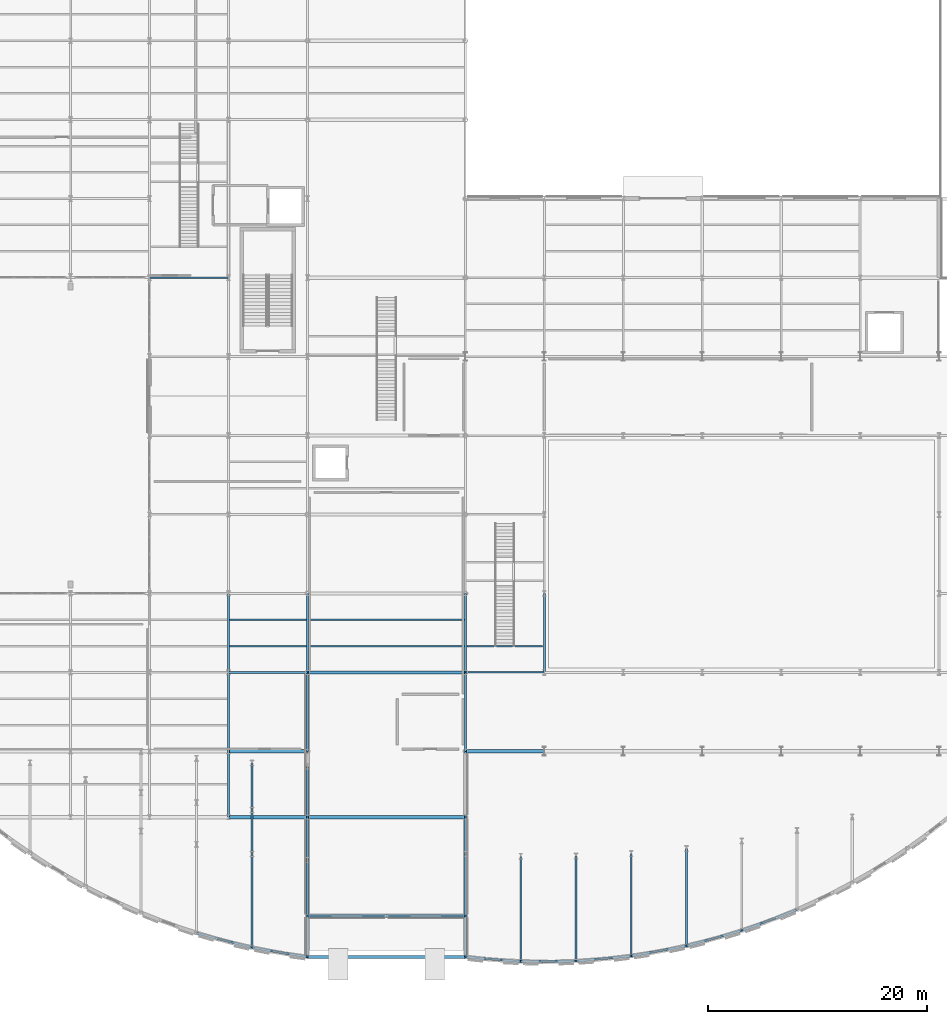
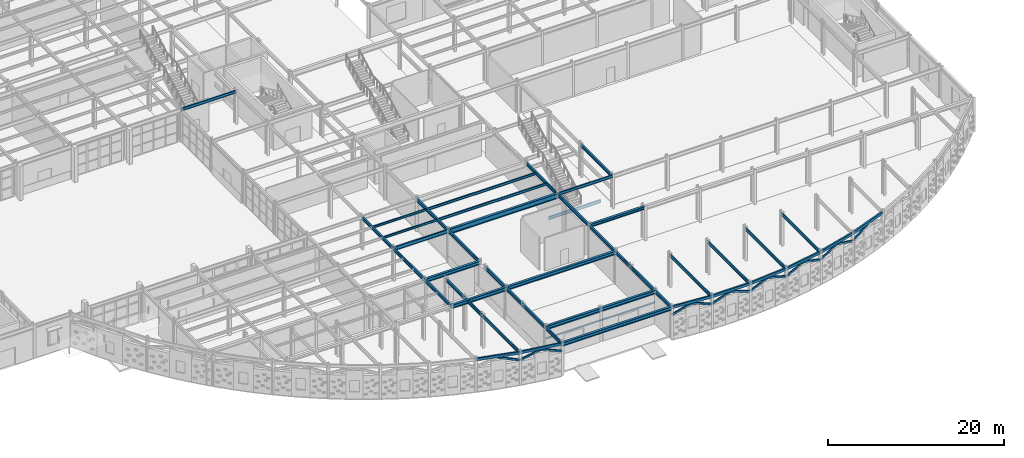
# One storey, part 33 of 83: 49 beams, 14 members.
"""IFC4 building model written with IfcOpenShell, lengths in metres."""

from ifc_helpers import new_model, si_unit, direction, frame, origin, origin_2d, place, context, subcontext, project, spatial, hollow_rectangle, i_section, extrude, material, material_profile, profile_set, type_object, element, save


model = new_model("IFC4")

# Units and contexts
model_context = context("Model", 3, precision=1e-05, world=origin(), true_north=direction((0.0, 1.0)))
body_context = subcontext(model_context, "Body", "Model", "MODEL_VIEW")
ifc_project = project(units=[si_unit("LENGTHUNIT", "METRE"), si_unit("AREAUNIT", "SQUARE_METRE"), si_unit("VOLUMEUNIT", "CUBIC_METRE"), si_unit("PLANEANGLEUNIT", "RADIAN"), si_unit("MASSUNIT", "GRAM", prefix="KILO")], contexts=[model_context])

# Site, building, storey
site_placement = place(None, origin())
site = spatial("IfcSite", under=ifc_project, at=site_placement, CompositionType="ELEMENT")
building_placement = place(site_placement, origin())
building = spatial("IfcBuilding", under=site, at=building_placement, Name="Solvadek Multi-Sports Hall", CompositionType="ELEMENT")
storey_placement = place(building_placement, origin())
storey = spatial("IfcBuildingStorey", under=building, at=storey_placement, Name="L00", CompositionType="ELEMENT", Elevation=0.0)

# Members
ifc_material_1 = material(Name="Steel E350 (350 MPa)", Category="steel")
ifc_material_profile_1 = material_profile(ifc_material_1, hollow_rectangle(XDim=0.14990234375, YDim=0.25, WallThickness=0.010009765625, at=origin_2d()), Name="RHS 250x150x10")
ifc_profile_set_1 = profile_set([ifc_material_profile_1], Name="Steel E350 (350 MPa)")
member_type = type_object("IfcMemberType", Name="STR-ARC-RHS250", PredefinedType="USERDEFINED", material=ifc_profile_set_1)
member_1_placement = place(storey_placement, frame((64.4091796875, -11.228271484375, 4.219970703125), z_axis=(0.917712573696, -0.241382137775, -0.315496902748), x_axis=(0.254373874801, 0.967105956873, 0.0)))
element("IfcMember", 1, at=member_1_placement, inside=storey, type_object=member_type, Name="Crescent Pointed Revak Arch W-8R", ObjectType="ARCH_SEGMENT", PredefinedType="USERDEFINED", context=body_context, shape_type="SweptSolid", body=[
    extrude(hollow_rectangle(XDim=0.14990234375, YDim=0.25, WallThickness=0.010009765625, at=origin_2d()), origin(), (0.0, 0.0, 1.0), 2.757080078125),
])
for number, where, z_axis, x_axis, name in (
    (2, (66.939453125, -11.893798828125, 3.35009765625), (0.933712393137, -0.158561734072, 0.320997419601), (0.167421677749, 0.985885379656, 0.0), "Crescent Pointed Revak Arch W-9L"),
    (3, (69.4697265625, -12.323486328125, 4.219970703125), (0.933725727833, -0.15847390537, -0.321002003886), (0.16732921597, 0.985901076926, 0.0), "Crescent Pointed Revak Arch W-9R"),
):
    element("IfcMember", number, at=place(storey_placement, frame(where, z_axis=z_axis, x_axis=x_axis)), inside=storey, type_object=member_type, Name=name, ObjectType="ARCH_SEGMENT", PredefinedType="USERDEFINED", context=body_context, shape_type="SweptSolid", body=[
        extrude(hollow_rectangle(XDim=0.14990234375, YDim=0.25, WallThickness=0.010009765625, at=origin_2d()), origin(), (0.0, 0.0, 1.0), 2.7099609375),
    ])
for number, where, z_axis, x_axis, name in (
    (4, (86.39990234375, -12.7529296875, 3.35009765625), (0.94253033205, -0.076063530963, 0.325347371933), (0.08043989836, 0.996759460829, 0.0), "Crescent Pointed Revak Arch E-1L"),
    (5, (88.919921875, -12.956298828125, 4.219970703125), (0.942523781777, -0.076154314474, -0.325345110877), (0.080535838905, 0.996751713644, 0.0), "Crescent Pointed Revak Arch E-1R"),
):
    element("IfcMember", number, at=place(storey_placement, frame(where, z_axis=z_axis, x_axis=x_axis)), inside=storey, type_object=member_type, Name=name, ObjectType="ARCH_SEGMENT", PredefinedType="USERDEFINED", context=body_context, shape_type="SweptSolid", body=[
        extrude(hollow_rectangle(XDim=0.14990234375, YDim=0.25, WallThickness=0.010009765625, at=origin_2d()), origin(), (0.0, 0.0, 1.0), 2.673583984375),
    ])
for number, where, z_axis, x_axis, name in (
    (6, (91.43994140625, -13.159912109375, 3.35009765625), (0.945252565878, 0.005860895584, 0.326287046331), (-0.006200229589, 0.999980778392, 0.0), "Crescent Pointed Revak Arch E-2L"),
    (7, (93.9599609375, -13.144287109375, 4.219970703125), (0.945252565878, 0.005860895584, -0.326287046331), (-0.006200229589, 0.999980778392, 0.0), "Crescent Pointed Revak Arch E-2R"),
):
    element("IfcMember", number, at=place(storey_placement, frame(where, z_axis=z_axis, x_axis=x_axis)), inside=storey, type_object=member_type, Name=name, ObjectType="ARCH_SEGMENT", PredefinedType="USERDEFINED", context=body_context, shape_type="SweptSolid", body=[
        extrude(hollow_rectangle(XDim=0.14990234375, YDim=0.25, WallThickness=0.010009765625, at=origin_2d()), origin(), (0.0, 0.0, 1.0), 2.666015625),
    ])
for number, where, z_axis, x_axis, name in (
    (8, (96.47998046875, -13.128662109375, 3.35009765625), (0.941621770931, 0.087758200314, 0.325033750226), (-0.092796844706, 0.995685063468, 0.0), "Crescent Pointed Revak Arch E-3L"),
    (9, (99.0, -12.893798828125, 4.219970703125), (0.941614228745, 0.087848721399, -0.325031146776), (-0.092892475176, 0.995676146172, 0.0), "Crescent Pointed Revak Arch E-3R"),
):
    element("IfcMember", number, at=place(storey_placement, frame(where, z_axis=z_axis, x_axis=x_axis)), inside=storey, type_object=member_type, Name=name, ObjectType="ARCH_SEGMENT", PredefinedType="USERDEFINED", context=body_context, shape_type="SweptSolid", body=[
        extrude(hollow_rectangle(XDim=0.14990234375, YDim=0.25, WallThickness=0.010009765625, at=origin_2d()), origin(), (0.0, 0.0, 1.0), 2.67626953125),
    ])
for number, where, z_axis, x_axis, name in (
    (10, (101.52001953125, -12.65869140625, 3.35009765625), (0.931506091358, 0.170021069184, 0.321541968951), (-0.179556350269, 0.983747689745, 0.0), "Crescent Pointed Revak Arch E-4L"),
    (11, (104.0400390625, -12.19873046875, 4.219970703125), (0.931506091358, 0.170021069184, -0.321541968951), (-0.179556350269, 0.983747689745, 0.0), "Crescent Pointed Revak Arch E-4R"),
):
    element("IfcMember", number, at=place(storey_placement, frame(where, z_axis=z_axis, x_axis=x_axis)), inside=storey, type_object=member_type, Name=name, ObjectType="ARCH_SEGMENT", PredefinedType="USERDEFINED", context=body_context, shape_type="SweptSolid", body=[
        extrude(hollow_rectangle(XDim=0.14990234375, YDim=0.25, WallThickness=0.010009765625, at=origin_2d()), origin(), (0.0, 0.0, 1.0), 2.705322265625),
    ])
for number, where, z_axis, x_axis, name in (
    (12, (106.56005859375, -11.73876953125, 3.35009765625), (0.91458888914, 0.252703692291, 0.315702403798), (-0.26632396396, 0.963883575034, 0.0), "Crescent Pointed Revak Arch E-5L"),
    (13, (109.080078125, -11.04248046875, 4.219970703125), (0.914609364805, 0.252620742013, -0.315709471692), (-0.266237202654, 0.963907543244, 0.0), "Crescent Pointed Revak Arch E-5R"),
):
    element("IfcMember", number, at=place(storey_placement, frame(where, z_axis=z_axis, x_axis=x_axis)), inside=storey, type_object=member_type, Name=name, ObjectType="ARCH_SEGMENT", PredefinedType="USERDEFINED", context=body_context, shape_type="SweptSolid", body=[
        extrude(hollow_rectangle(XDim=0.14990234375, YDim=0.25, WallThickness=0.010009765625, at=origin_2d()), origin(), (0.0, 0.0, 1.0), 2.75537109375),
    ])
member_2_placement = place(storey_placement, frame((111.60009765625, -10.346435546875, 3.35009765625), z_axis=(0.890376624768, 0.335810521238, 0.307344692312), x_axis=(-0.352891064326, 0.935664414584, 0.0)))
element("IfcMember", 14, at=member_2_placement, inside=storey, type_object=member_type, Name="Crescent Pointed Revak Arch E-6L", ObjectType="ARCH_SEGMENT", PredefinedType="USERDEFINED", context=body_context, shape_type="SweptSolid", body=[
    extrude(hollow_rectangle(XDim=0.14990234375, YDim=0.25, WallThickness=0.010009765625, at=origin_2d()), origin(), (0.0, 0.0, 1.0), 2.830322265625),
])

# Beams
ifc_material_profile_2 = material_profile(ifc_material_1, i_section(OverallWidth=0.139892578125, OverallDepth=0.39990234375, WebThickness=0.0087890625, FlangeThickness=0.01611328125, at=origin_2d()), Name="ISMB 400")
ifc_profile_set_2 = profile_set([ifc_material_profile_2], Name="Steel E350 (350 MPa)")
beam_type_1 = type_object("IfcBeamType", Name="STR-BM-ISMB400", PredefinedType="BEAM", material=ifc_profile_set_2)
beam_1_placement = place(storey_placement, frame((86.39990234375, 13.199951171875, 4.3798828125), z_axis=(1.0, 0.0, 0.0), x_axis=(0.0, 1.0, 0.0)))
element("IfcBeam", 15, at=beam_1_placement, inside=storey, type_object=beam_type_1, Name="L00 Girder B-10 #549", PredefinedType="BEAM", context=body_context, shape_type="SweptSolid", body=[
    extrude(i_section(OverallWidth=0.139892578125, OverallDepth=0.39990234375, WebThickness=0.0087890625, FlangeThickness=0.01611328125, at=origin_2d()), origin(), (0.0, 0.0, 1.0), 7.2001953125),
])
beam_2_placement = place(storey_placement, frame((57.60009765625, 49.199951171875, 4.3798828125), z_axis=(1.0, 0.0, 0.0), x_axis=(0.0, 1.0, 0.0)))
element("IfcBeam", 16, at=beam_2_placement, inside=storey, type_object=beam_type_1, Name="L00 Girder B-10 #611", PredefinedType="BEAM", context=body_context, shape_type="SweptSolid", body=[
    extrude(i_section(OverallWidth=0.139892578125, OverallDepth=0.39990234375, WebThickness=0.0087890625, FlangeThickness=0.01611328125, at=origin_2d()), origin(), (0.0, 0.0, 1.0), 7.199951171875),
])
ifc_material_profile_3 = material_profile(ifc_material_1, i_section(OverallWidth=0.14990234375, OverallDepth=0.449951171875, WebThickness=0.009521484375, FlangeThickness=0.017333984375, at=origin_2d()), Name="ISMB 450")
ifc_profile_set_3 = profile_set([ifc_material_profile_3], Name="Steel E350 (350 MPa)")
beam_type_2 = type_object("IfcBeamType", Name="STR-BM-ISMB450", PredefinedType="BEAM", material=ifc_profile_set_3)
beam_3_placement = place(storey_placement, frame((66.939453125, -11.893798828125, 4.35498046875), z_axis=(0.0, 1.0, 0.0), x_axis=(-1.0, 0.0, 0.0)))
element("IfcBeam", 17, at=beam_3_placement, inside=storey, type_object=beam_type_2, Name="L00 Girder B-09 #853", PredefinedType="BEAM", context=body_context, shape_type="SweptSolid", body=[
    extrude(i_section(OverallWidth=0.14990234375, OverallDepth=0.449951171875, WebThickness=0.009521484375, FlangeThickness=0.017333984375, at=origin_2d()), origin(), (0.0, 0.0, 1.0), 8.53173828125),
])
beam_4_placement = place(storey_placement, frame((91.43994140625, -13.159912109375, 4.35498046875), z_axis=(0.0, 1.0, 0.0), x_axis=(-1.0, 0.0, 0.0)))
element("IfcBeam", 18, at=beam_4_placement, inside=storey, type_object=beam_type_2, Name="L00 Girder B-09 #892", PredefinedType="BEAM", context=body_context, shape_type="SweptSolid", body=[
    extrude(i_section(OverallWidth=0.14990234375, OverallDepth=0.449951171875, WebThickness=0.009521484375, FlangeThickness=0.017333984375, at=origin_2d()), origin(), (0.0, 0.0, 1.0), 9.579833984375),
])
beam_5_placement = place(storey_placement, frame((96.47998046875, -13.128662109375, 4.35498046875), z_axis=(0.0, 1.0, 0.0), x_axis=(-1.0, 0.0, 0.0)))
element("IfcBeam", 19, at=beam_5_placement, inside=storey, type_object=beam_type_2, Name="L00 Girder B-09 #900", PredefinedType="BEAM", context=body_context, shape_type="SweptSolid", body=[
    extrude(i_section(OverallWidth=0.14990234375, OverallDepth=0.449951171875, WebThickness=0.009521484375, FlangeThickness=0.017333984375, at=origin_2d()), origin(), (0.0, 0.0, 1.0), 9.564208984375),
])
beam_6_placement = place(storey_placement, frame((101.52001953125, -12.65869140625, 4.35498046875), z_axis=(0.0, 1.0, 0.0), x_axis=(-1.0, 0.0, 0.0)))
element("IfcBeam", 20, at=beam_6_placement, inside=storey, type_object=beam_type_2, Name="L00 Girder B-09 #905", PredefinedType="BEAM", context=body_context, shape_type="SweptSolid", body=[
    extrude(i_section(OverallWidth=0.14990234375, OverallDepth=0.449951171875, WebThickness=0.009521484375, FlangeThickness=0.017333984375, at=origin_2d()), origin(), (0.0, 0.0, 1.0), 9.329345703125),
])
beam_7_placement = place(storey_placement, frame((106.56005859375, -11.73876953125, 4.35498046875), z_axis=(0.0, 1.0, 0.0), x_axis=(-1.0, 0.0, 0.0)))
element("IfcBeam", 21, at=beam_7_placement, inside=storey, type_object=beam_type_2, Name="L00 Girder B-09 #906", PredefinedType="BEAM", context=body_context, shape_type="SweptSolid", body=[
    extrude(i_section(OverallWidth=0.14990234375, OverallDepth=0.449951171875, WebThickness=0.009521484375, FlangeThickness=0.017333984375, at=origin_2d()), origin(), (0.0, 0.0, 1.0), 8.869384765625),
])
ifc_material_profile_4 = material_profile(ifc_material_1, i_section(OverallWidth=0.179931640625, OverallDepth=0.5, WebThickness=0.01025390625, FlangeThickness=0.01708984375, at=origin_2d()), Name="ISMB 500")
ifc_profile_set_4 = profile_set([ifc_material_profile_4], Name="Steel E350 (350 MPa)")
beam_type_3 = type_object("IfcBeamType", Name="STR-BM-ISMB500", PredefinedType="BEAM", material=ifc_profile_set_4)
beam_8_placement = place(storey_placement, frame((64.800048828125, 13.199951171875, 4.330078125), z_axis=(1.0, 0.0, 0.0), x_axis=(0.0, 1.0, 0.0)))
element("IfcBeam", 22, at=beam_8_placement, inside=storey, type_object=beam_type_3, Name="L00 Girder B-07 #547", PredefinedType="BEAM", context=body_context, shape_type="SweptSolid", body=[
    extrude(i_section(OverallWidth=0.179931640625, OverallDepth=0.5, WebThickness=0.01025390625, FlangeThickness=0.01708984375, at=origin_2d()), origin(), (0.0, 0.0, 1.0), 7.199951171875),
])
ifc_material_profile_5 = material_profile(ifc_material_1, i_section(OverallWidth=0.14990234375, OverallDepth=0.449951171875, WebThickness=0.009521484375, FlangeThickness=0.017333984375, at=origin_2d()), Name="ISMB 450")
ifc_profile_set_5 = profile_set([ifc_material_profile_5], Name="Steel E350 (350 MPa)")
beam_type_4 = type_object("IfcBeamType", Name="STR-BM-LND450", PredefinedType="BEAM", material=ifc_profile_set_5)
beam_9_placement = place(storey_placement, frame((86.56005859375, 15.60009765625, -0.47998046875), z_axis=(1.0, 0.0, 0.0), x_axis=(0.0, 1.0, 0.0)))
element("IfcBeam", 23, at=beam_9_placement, inside=storey, type_object=beam_type_4, Name="Stair ST-09 Foot Trimmer Girder", PredefinedType="BEAM", context=body_context, shape_type="SweptSolid", body=[
    extrude(i_section(OverallWidth=0.14990234375, OverallDepth=0.449951171875, WebThickness=0.009521484375, FlangeThickness=0.017333984375, at=origin_2d()), origin(), (0.0, 0.0, 1.0), 6.8798828125),
])
ifc_material_profile_6 = material_profile(ifc_material_1, i_section(OverallWidth=0.18994140625, OverallDepth=0.449951171875, WebThickness=0.009521484375, FlangeThickness=0.0146484375, at=origin_2d()), Name="NPB 450")
ifc_profile_set_6 = profile_set([ifc_material_profile_6], Name="Steel E350 (350 MPa)")
beam_type_5 = type_object("IfcBeamType", Name="STR-BM-NPB450", PredefinedType="BEAM", material=ifc_profile_set_6)
beam_10_placement = place(storey_placement, frame((64.800048828125, 0.0, 4.35498046875), z_axis=(0.0, 1.0, 0.0), x_axis=(-1.0, 0.0, 0.0)))
element("IfcBeam", 24, at=beam_10_placement, inside=storey, type_object=beam_type_5, Name="L00 Girder B-08 #839", PredefinedType="BEAM", context=body_context, shape_type="SweptSolid", body=[
    extrude(i_section(OverallWidth=0.18994140625, OverallDepth=0.449951171875, WebThickness=0.009521484375, FlangeThickness=0.0146484375, at=origin_2d()), origin(), (0.0, 0.0, 1.0), 6.0),
])
for number, where, z_axis, x_axis, name in (
    (25, (64.800048828125, 6.0, 4.35498046875), (0.0, 1.0, 0.0), (-1.0, 0.0, 0.0), "L00 Girder B-08 #840"),
    (26, (64.800048828125, 13.199951171875, 4.35498046875), (0.0, 1.0, 0.0), (-1.0, 0.0, 0.0), "L00 Girder B-08 #841"),
):
    element("IfcBeam", number, at=place(storey_placement, frame(where, z_axis=z_axis, x_axis=x_axis)), inside=storey, type_object=beam_type_5, Name=name, PredefinedType="BEAM", context=body_context, shape_type="SweptSolid", body=[
        extrude(i_section(OverallWidth=0.18994140625, OverallDepth=0.449951171875, WebThickness=0.009521484375, FlangeThickness=0.0146484375, at=origin_2d()), origin(), (0.0, 0.0, 1.0), 7.199951171875),
    ])
beam_11_placement = place(storey_placement, frame((66.939453125, -3.362060546875, 4.35498046875), z_axis=(0.0, 1.0, 0.0), x_axis=(-1.0, 0.0, 0.0)))
element("IfcBeam", 27, at=beam_11_placement, inside=storey, type_object=beam_type_5, Name="L00 Girder B-08 #854", PredefinedType="BEAM", context=body_context, shape_type="SweptSolid", body=[
    extrude(i_section(OverallWidth=0.18994140625, OverallDepth=0.449951171875, WebThickness=0.009521484375, FlangeThickness=0.0146484375, at=origin_2d()), origin(), (0.0, 0.0, 1.0), 4.01513671875),
])
beam_12_placement = place(storey_placement, frame((66.939453125, 0.653076171875, 4.35498046875), z_axis=(0.0, 1.0, 0.0), x_axis=(-1.0, 0.0, 0.0)))
element("IfcBeam", 28, at=beam_12_placement, inside=storey, type_object=beam_type_5, Name="L00 Girder B-08 #855", PredefinedType="BEAM", context=body_context, shape_type="SweptSolid", body=[
    extrude(i_section(OverallWidth=0.18994140625, OverallDepth=0.449951171875, WebThickness=0.009521484375, FlangeThickness=0.0146484375, at=origin_2d()), origin(), (0.0, 0.0, 1.0), 4.265869140625),
])
beam_13_placement = place(storey_placement, frame((72.0, -12.7529296875, 4.35498046875), z_axis=(0.0, 1.0, 0.0), x_axis=(-1.0, 0.0, 0.0)))
element("IfcBeam", 29, at=beam_13_placement, inside=storey, type_object=beam_type_5, Name="L00 Girder B-08 #856", PredefinedType="BEAM", context=body_context, shape_type="SweptSolid", body=[
    extrude(i_section(OverallWidth=0.18994140625, OverallDepth=0.449951171875, WebThickness=0.009521484375, FlangeThickness=0.0146484375, at=origin_2d()), origin(), (0.0, 0.0, 1.0), 3.7529296875),
])
beam_14_placement = place(storey_placement, frame((72.0, -9.0, 4.35498046875), z_axis=(0.0, 1.0, 0.0), x_axis=(-1.0, 0.0, 0.0)))
element("IfcBeam", 30, at=beam_14_placement, inside=storey, type_object=beam_type_5, Name="L00 Girder B-08 #857", PredefinedType="BEAM", context=body_context, shape_type="SweptSolid", body=[
    extrude(i_section(OverallWidth=0.18994140625, OverallDepth=0.449951171875, WebThickness=0.009521484375, FlangeThickness=0.0146484375, at=origin_2d()), origin(), (0.0, 0.0, 1.0), 5.071044921875),
])
beam_15_placement = place(storey_placement, frame((72.0, -3.928955078125, 4.35498046875), z_axis=(0.0, 1.0, 0.0), x_axis=(-1.0, 0.0, 0.0)))
element("IfcBeam", 31, at=beam_15_placement, inside=storey, type_object=beam_type_5, Name="L00 Girder B-08 #858", PredefinedType="BEAM", context=body_context, shape_type="SweptSolid", body=[
    extrude(i_section(OverallWidth=0.18994140625, OverallDepth=0.449951171875, WebThickness=0.009521484375, FlangeThickness=0.0146484375, at=origin_2d()), origin(), (0.0, 0.0, 1.0), 3.928955078125),
])
beam_16_placement = place(storey_placement, frame((72.0, 0.0, 4.35498046875), z_axis=(0.0, 1.0, 0.0), x_axis=(-1.0, 0.0, 0.0)))
element("IfcBeam", 32, at=beam_16_placement, inside=storey, type_object=beam_type_5, Name="L00 Girder B-08 #859", PredefinedType="BEAM", context=body_context, shape_type="SweptSolid", body=[
    extrude(i_section(OverallWidth=0.18994140625, OverallDepth=0.449951171875, WebThickness=0.009521484375, FlangeThickness=0.0146484375, at=origin_2d()), origin(), (0.0, 0.0, 1.0), 4.635498046875),
])
for number, where, z_axis, x_axis, name in (
    (33, (72.0, 6.0, 4.35498046875), (0.0, 1.0, 0.0), (-1.0, 0.0, 0.0), "L00 Girder B-08 #860"),
    (34, (72.0, 13.199951171875, 4.35498046875), (0.0, 1.0, 0.0), (-1.0, 0.0, 0.0), "L00 Girder B-08 #861"),
):
    element("IfcBeam", number, at=place(storey_placement, frame(where, z_axis=z_axis, x_axis=x_axis)), inside=storey, type_object=beam_type_5, Name=name, PredefinedType="BEAM", context=body_context, shape_type="SweptSolid", body=[
        extrude(i_section(OverallWidth=0.18994140625, OverallDepth=0.449951171875, WebThickness=0.009521484375, FlangeThickness=0.0146484375, at=origin_2d()), origin(), (0.0, 0.0, 1.0), 7.199951171875),
    ])
beam_17_placement = place(storey_placement, frame((86.39990234375, -12.7529296875, 4.35498046875), z_axis=(0.0, 1.0, 0.0), x_axis=(-1.0, 0.0, 0.0)))
element("IfcBeam", 35, at=beam_17_placement, inside=storey, type_object=beam_type_5, Name="L00 Girder B-08 #874", PredefinedType="BEAM", context=body_context, shape_type="SweptSolid", body=[
    extrude(i_section(OverallWidth=0.18994140625, OverallDepth=0.449951171875, WebThickness=0.009521484375, FlangeThickness=0.0146484375, at=origin_2d()), origin(), (0.0, 0.0, 1.0), 3.7529296875),
])
beam_18_placement = place(storey_placement, frame((86.39990234375, -9.0, 4.35498046875), z_axis=(0.0, 1.0, 0.0), x_axis=(-1.0, 0.0, 0.0)))
element("IfcBeam", 36, at=beam_18_placement, inside=storey, type_object=beam_type_5, Name="L00 Girder B-08 #875", PredefinedType="BEAM", context=body_context, shape_type="SweptSolid", body=[
    extrude(i_section(OverallWidth=0.18994140625, OverallDepth=0.449951171875, WebThickness=0.009521484375, FlangeThickness=0.0146484375, at=origin_2d()), origin(), (0.0, 0.0, 1.0), 5.62353515625),
])
beam_19_placement = place(storey_placement, frame((86.39990234375, -3.37646484375, 4.35498046875), z_axis=(0.0, 1.0, 0.0), x_axis=(-1.0, 0.0, 0.0)))
element("IfcBeam", 37, at=beam_19_placement, inside=storey, type_object=beam_type_5, Name="L00 Girder B-08 #876", PredefinedType="BEAM", context=body_context, shape_type="SweptSolid", body=[
    extrude(i_section(OverallWidth=0.18994140625, OverallDepth=0.449951171875, WebThickness=0.009521484375, FlangeThickness=0.0146484375, at=origin_2d()), origin(), (0.0, 0.0, 1.0), 3.37646484375),
])
beam_20_placement = place(storey_placement, frame((86.39990234375, 0.0, 4.35498046875), z_axis=(0.0, 1.0, 0.0), x_axis=(-1.0, 0.0, 0.0)))
element("IfcBeam", 38, at=beam_20_placement, inside=storey, type_object=beam_type_5, Name="L00 Girder B-08 #877", PredefinedType="BEAM", context=body_context, shape_type="SweptSolid", body=[
    extrude(i_section(OverallWidth=0.18994140625, OverallDepth=0.449951171875, WebThickness=0.009521484375, FlangeThickness=0.0146484375, at=origin_2d()), origin(), (0.0, 0.0, 1.0), 6.0),
])
for number, where, z_axis, x_axis, name in (
    (39, (86.39990234375, 6.0, 4.35498046875), (0.0, 1.0, 0.0), (-1.0, 0.0, 0.0), "L00 Girder B-08 #878"),
    (40, (86.39990234375, 13.199951171875, 4.35498046875), (0.0, 1.0, 0.0), (-1.0, 0.0, 0.0), "L00 Girder B-08 #879"),
    (41, (93.60009765625, 13.199951171875, 4.35498046875), (0.0, 1.0, 0.0), (-1.0, 0.0, 0.0), "L00 Girder B-08 #894"),
):
    element("IfcBeam", number, at=place(storey_placement, frame(where, z_axis=z_axis, x_axis=x_axis)), inside=storey, type_object=beam_type_5, Name=name, PredefinedType="BEAM", context=body_context, shape_type="SweptSolid", body=[
        extrude(i_section(OverallWidth=0.18994140625, OverallDepth=0.449951171875, WebThickness=0.009521484375, FlangeThickness=0.0146484375, at=origin_2d()), origin(), (0.0, 0.0, 1.0), 7.199951171875),
    ])
ifc_material_profile_7 = material_profile(ifc_material_1, i_section(OverallWidth=0.300048828125, OverallDepth=0.699951171875, WebThickness=0.01708984375, FlangeThickness=0.031982421875, at=origin_2d()), Name="WPB 700")
ifc_profile_set_7 = profile_set([ifc_material_profile_7], Name="Steel E350 (350 MPa)")
beam_type_6 = type_object("IfcBeamType", Name="STR-BM-WPB700", PredefinedType="BEAM", material=ifc_profile_set_7)
beam_21_placement = place(storey_placement, frame((72.0, 13.199951171875, 4.22998046875), z_axis=(1.0, 0.0, 0.0), x_axis=(0.0, 1.0, 0.0)))
element("IfcBeam", 42, at=beam_21_placement, inside=storey, type_object=beam_type_6, Name="L00 Girder B-01 #548", PredefinedType="BEAM", context=body_context, shape_type="SweptSolid", body=[
    extrude(i_section(OverallWidth=0.300048828125, OverallDepth=0.699951171875, WebThickness=0.01708984375, FlangeThickness=0.031982421875, at=origin_2d()), origin(), (0.0, 0.0, 1.0), 14.39990234375),
])
ifc_material_profile_8 = material_profile(ifc_material_1, i_section(OverallWidth=0.139892578125, OverallDepth=0.300048828125, WebThickness=0.0078125, FlangeThickness=0.01318359375, at=origin_2d()), Name="ISMB 300")
ifc_profile_set_8 = profile_set([ifc_material_profile_8], Name="Steel E350 (350 MPa)")
beam_type_7 = type_object("IfcBeamType", Name="STR-JST-ISMB300", PredefinedType="JOIST", material=ifc_profile_set_8)
for number, where, z_axis, x_axis, name in (
    (43, (64.89501953125, 15.60009765625, 4.429931640625), (1.0, 0.0, 0.0), (0.0, 1.0, 0.0), "L00 Composite Joist J-03 #398"),
    (44, (64.89501953125, 18.0, 4.429931640625), (1.0, 0.0, 0.0), (0.0, 1.0, 0.0), "L00 Composite Joist J-03 #399"),
):
    element("IfcBeam", number, at=place(storey_placement, frame(where, z_axis=z_axis, x_axis=x_axis)), inside=storey, type_object=beam_type_7, Name=name, PredefinedType="JOIST", context=body_context, shape_type="SweptSolid", body=[
        extrude(i_section(OverallWidth=0.139892578125, OverallDepth=0.300048828125, WebThickness=0.0078125, FlangeThickness=0.01318359375, at=origin_2d()), origin(), (0.0, 0.0, 1.0), 7.010009765625),
    ])
ifc_material_profile_9 = material_profile(ifc_material_1, i_section(OverallWidth=0.139892578125, OverallDepth=0.35009765625, WebThickness=0.008056640625, FlangeThickness=0.01416015625, at=origin_2d()), Name="ISMB 350")
ifc_profile_set_9 = profile_set([ifc_material_profile_9], Name="Steel E350 (350 MPa)")
beam_type_8 = type_object("IfcBeamType", Name="STR-JST-ISMB350", PredefinedType="JOIST", material=ifc_profile_set_9)
for number, where, z_axis, x_axis, name in (
    (45, (72.094970703125, 15.60009765625, 4.405029296875), (1.0, 0.0, 0.0), (0.0, 1.0, 0.0), "L00 Composite Joist J-01 #400"),
    (46, (72.094970703125, 18.0, 4.405029296875), (1.0, 0.0, 0.0), (0.0, 1.0, 0.0), "L00 Composite Joist J-01 #401"),
):
    element("IfcBeam", number, at=place(storey_placement, frame(where, z_axis=z_axis, x_axis=x_axis)), inside=storey, type_object=beam_type_8, Name=name, PredefinedType="JOIST", context=body_context, shape_type="SweptSolid", body=[
        extrude(i_section(OverallWidth=0.139892578125, OverallDepth=0.35009765625, WebThickness=0.008056640625, FlangeThickness=0.01416015625, at=origin_2d()), origin(), (0.0, 0.0, 1.0), 14.2099609375),
    ])
ifc_material_2 = material(Name="Steel E250 (250 MPa)", Category="steel")
ifc_material_profile_10 = material_profile(ifc_material_2, i_section(OverallWidth=0.10009765625, OverallDepth=0.199951171875, WebThickness=0.005615234375, FlangeThickness=0.0107421875, at=origin_2d()), Name="ISMB 200")
ifc_profile_set_10 = profile_set([ifc_material_profile_10], Name="Steel E250 (250 MPa)")
beam_type_9 = type_object("IfcBeamType", Name="STR-LIN-ISMB200", PredefinedType="LINTEL", material=ifc_profile_set_10)
for number, where, z_axis, x_axis, name in (
    (47, (72.0, -9.0, 2.820068359375), (1.0, 0.0, 0.0), (0.0, 1.0, 0.0), "L00 Opening Lintel #12"),
    (48, (79.199951171875, -9.0, 2.820068359375), (1.0, 0.0, 0.0), (0.0, 1.0, 0.0), "L00 Opening Lintel #13"),
):
    element("IfcBeam", number, at=place(storey_placement, frame(where, z_axis=z_axis, x_axis=x_axis)), inside=storey, type_object=beam_type_9, Name=name, PredefinedType="LINTEL", context=body_context, shape_type="SweptSolid", body=[
        extrude(i_section(OverallWidth=0.10009765625, OverallDepth=0.199951171875, WebThickness=0.005615234375, FlangeThickness=0.0107421875, at=origin_2d()), origin(), (0.0, 0.0, 1.0), 7.199951171875),
    ])
ifc_material_profile_11 = material_profile(ifc_material_1, hollow_rectangle(XDim=0.199951171875, YDim=0.35009765625, WallThickness=0.011962890625, at=origin_2d()), Name="RHS 350x200x12")
ifc_profile_set_11 = profile_set([ifc_material_profile_11], Name="Steel E350 (350 MPa)")
beam_type_10 = type_object("IfcBeamType", Name="STR-SPN-RHS350", PredefinedType="SPANDREL", material=ifc_profile_set_11)
beam_22_placement = place(storey_placement, frame((61.87890625, -10.562744140625, 4.405029296875), z_axis=(0.967105956873, -0.254373874801, 0.0), x_axis=(0.254373874801, 0.967105956873, 0.0)))
element("IfcBeam", 49, at=beam_22_placement, inside=storey, type_object=beam_type_10, Name="L00 Curved Crescent Spandrel #27", PredefinedType="SPANDREL", context=body_context, shape_type="SweptSolid", body=[
    extrude(hollow_rectangle(XDim=0.199951171875, YDim=0.35009765625, WallThickness=0.011962890625, at=origin_2d()), origin(), (0.0, 0.0, 1.0), 5.232666015625),
])
beam_23_placement = place(storey_placement, frame((66.939453125, -11.893798828125, 4.405029296875), z_axis=(0.985893229312, -0.167375447412, 0.0), x_axis=(0.167375447412, 0.985893229312, 0.0)))
element("IfcBeam", 50, at=beam_23_placement, inside=storey, type_object=beam_type_10, Name="L00 Curved Crescent Spandrel #28", PredefinedType="SPANDREL", context=body_context, shape_type="SweptSolid", body=[
    extrude(hollow_rectangle(XDim=0.199951171875, YDim=0.35009765625, WallThickness=0.011962890625, at=origin_2d()), origin(), (0.0, 0.0, 1.0), 5.133056640625),
])
beam_24_placement = place(storey_placement, frame((86.39990234375, -12.7529296875, 4.405029296875), z_axis=(0.996755588376, -0.080487868912, 0.0), x_axis=(0.080487868912, 0.996755588376, 0.0)))
element("IfcBeam", 51, at=beam_24_placement, inside=storey, type_object=beam_type_10, Name="L00 Curved Crescent Spandrel #29", PredefinedType="SPANDREL", context=body_context, shape_type="SweptSolid", body=[
    extrude(hollow_rectangle(XDim=0.199951171875, YDim=0.35009765625, WallThickness=0.011962890625, at=origin_2d()), origin(), (0.0, 0.0, 1.0), 5.056396484375),
])
beam_25_placement = place(storey_placement, frame((91.43994140625, -13.159912109375, 4.405029296875), z_axis=(0.999980778392, 0.006200229589, 0.0), x_axis=(-0.006200229589, 0.999980778392, 0.0)))
element("IfcBeam", 52, at=beam_25_placement, inside=storey, type_object=beam_type_10, Name="L00 Curved Crescent Spandrel #30", PredefinedType="SPANDREL", context=body_context, shape_type="SweptSolid", body=[
    extrude(hollow_rectangle(XDim=0.199951171875, YDim=0.35009765625, WallThickness=0.011962890625, at=origin_2d()), origin(), (0.0, 0.0, 1.0), 5.0400390625),
])
beam_26_placement = place(storey_placement, frame((96.47998046875, -13.128662109375, 4.405029296875), z_axis=(0.995680605948, 0.092844660262, 0.0), x_axis=(-0.092844660262, 0.995680605948, 0.0)))
element("IfcBeam", 53, at=beam_26_placement, inside=storey, type_object=beam_type_10, Name="L00 Curved Crescent Spandrel #31", PredefinedType="SPANDREL", context=body_context, shape_type="SweptSolid", body=[
    extrude(hollow_rectangle(XDim=0.199951171875, YDim=0.35009765625, WallThickness=0.011962890625, at=origin_2d()), origin(), (0.0, 0.0, 1.0), 5.06201171875),
])
beam_27_placement = place(storey_placement, frame((101.52001953125, -12.65869140625, 4.405029296875), z_axis=(0.983747689745, 0.179556350269, 0.0), x_axis=(-0.179556350269, 0.983747689745, 0.0)))
element("IfcBeam", 54, at=beam_27_placement, inside=storey, type_object=beam_type_10, Name="L00 Curved Crescent Spandrel #32", PredefinedType="SPANDREL", context=body_context, shape_type="SweptSolid", body=[
    extrude(hollow_rectangle(XDim=0.199951171875, YDim=0.35009765625, WallThickness=0.011962890625, at=origin_2d()), origin(), (0.0, 0.0, 1.0), 5.123291015625),
])
beam_28_placement = place(storey_placement, frame((106.56005859375, -11.73876953125, 4.405029296875), z_axis=(0.963895559966, 0.266280584116, 0.0), x_axis=(-0.266280584116, 0.963895559966, 0.0)))
element("IfcBeam", 55, at=beam_28_placement, inside=storey, type_object=beam_type_10, Name="L00 Curved Crescent Spandrel #33", PredefinedType="SPANDREL", context=body_context, shape_type="SweptSolid", body=[
    extrude(hollow_rectangle(XDim=0.199951171875, YDim=0.35009765625, WallThickness=0.011962890625, at=origin_2d()), origin(), (0.0, 0.0, 1.0), 5.228759765625),
])
beam_29_placement = place(storey_placement, frame((111.60009765625, -10.346435546875, 4.405029296875), z_axis=(0.935643802821, 0.35294571005, 0.0), x_axis=(-0.35294571005, 0.935643802821, 0.0)))
element("IfcBeam", 56, at=beam_29_placement, inside=storey, type_object=beam_type_10, Name="L00 Curved Crescent Spandrel #34", PredefinedType="SPANDREL", context=body_context, shape_type="SweptSolid", body=[
    extrude(hollow_rectangle(XDim=0.199951171875, YDim=0.35009765625, WallThickness=0.011962890625, at=origin_2d()), origin(), (0.0, 0.0, 1.0), 5.386474609375),
])
ifc_material_profile_12 = material_profile(ifc_material_1, i_section(OverallWidth=0.300048828125, OverallDepth=0.39990234375, WebThickness=0.013427734375, FlangeThickness=0.02392578125, at=origin_2d()), Name="WPB 400")
ifc_profile_set_12 = profile_set([ifc_material_profile_12], Name="Steel E350 (350 MPa)")
beam_type_11 = type_object("IfcBeamType", Name="STR-SPN-WPB400", PredefinedType="SPANDREL", material=ifc_profile_set_12)
beam_30_placement = place(storey_placement, frame((86.39990234375, 6.0, 4.3798828125), z_axis=(1.0, 0.0, 0.0), x_axis=(0.0, 1.0, 0.0)))
element("IfcBeam", 57, at=beam_30_placement, inside=storey, type_object=beam_type_11, Name="L00 Girder SP-02 #536", PredefinedType="SPANDREL", context=body_context, shape_type="SweptSolid", body=[
    extrude(i_section(OverallWidth=0.300048828125, OverallDepth=0.39990234375, WebThickness=0.013427734375, FlangeThickness=0.02392578125, at=origin_2d()), origin(), (0.0, 0.0, 1.0), 7.2001953125),
])
ifc_material_profile_13 = material_profile(ifc_material_1, i_section(OverallWidth=0.300048828125, OverallDepth=0.5, WebThickness=0.014404296875, FlangeThickness=0.028076171875, at=origin_2d()), Name="WPB 500")
ifc_profile_set_13 = profile_set([ifc_material_profile_13], Name="Steel E350 (350 MPa)")
beam_type_12 = type_object("IfcBeamType", Name="STR-SPN-WPB500", PredefinedType="SPANDREL", material=ifc_profile_set_13)
beam_31_placement = place(storey_placement, frame((72.0, -12.7529296875, 4.330078125), z_axis=(1.0, 0.0, 0.0), x_axis=(0.0, 1.0, 0.0)))
element("IfcBeam", 58, at=beam_31_placement, inside=storey, type_object=beam_type_12, Name="L00 Girder SP-01 #523", PredefinedType="SPANDREL", context=body_context, shape_type="SweptSolid", body=[
    extrude(i_section(OverallWidth=0.300048828125, OverallDepth=0.5, WebThickness=0.014404296875, FlangeThickness=0.028076171875, at=origin_2d()), origin(), (0.0, 0.0, 1.0), 14.39990234375),
])
for number, where, z_axis, x_axis, name in (
    (59, (72.0, -9.0, 4.330078125), (1.0, 0.0, 0.0), (0.0, 1.0, 0.0), "L00 Girder SP-01 #524"),
    (60, (79.199951171875, -9.0, 4.330078125), (1.0, 0.0, 0.0), (0.0, 1.0, 0.0), "L00 Girder SP-01 #525"),
    (61, (64.800048828125, 0.0, 4.330078125), (1.0, 0.0, 0.0), (0.0, 1.0, 0.0), "L00 Girder SP-01 #529"),
):
    element("IfcBeam", number, at=place(storey_placement, frame(where, z_axis=z_axis, x_axis=x_axis)), inside=storey, type_object=beam_type_12, Name=name, PredefinedType="SPANDREL", context=body_context, shape_type="SweptSolid", body=[
        extrude(i_section(OverallWidth=0.300048828125, OverallDepth=0.5, WebThickness=0.014404296875, FlangeThickness=0.028076171875, at=origin_2d()), origin(), (0.0, 0.0, 1.0), 7.199951171875),
    ])
beam_32_placement = place(storey_placement, frame((72.0, 0.0, 4.330078125), z_axis=(1.0, 0.0, 0.0), x_axis=(0.0, 1.0, 0.0)))
element("IfcBeam", 62, at=beam_32_placement, inside=storey, type_object=beam_type_12, Name="L00 Girder SP-01 #530", PredefinedType="SPANDREL", context=body_context, shape_type="SweptSolid", body=[
    extrude(i_section(OverallWidth=0.300048828125, OverallDepth=0.5, WebThickness=0.014404296875, FlangeThickness=0.028076171875, at=origin_2d()), origin(), (0.0, 0.0, 1.0), 14.39990234375),
])
beam_33_placement = place(storey_placement, frame((64.800048828125, 6.0, 4.330078125), z_axis=(1.0, 0.0, 0.0), x_axis=(0.0, 1.0, 0.0)))
element("IfcBeam", 63, at=beam_33_placement, inside=storey, type_object=beam_type_12, Name="L00 Girder SP-01 #535", PredefinedType="SPANDREL", context=body_context, shape_type="SweptSolid", body=[
    extrude(i_section(OverallWidth=0.300048828125, OverallDepth=0.5, WebThickness=0.014404296875, FlangeThickness=0.028076171875, at=origin_2d()), origin(), (0.0, 0.0, 1.0), 7.199951171875),
])

save(model, "model.ifc")
